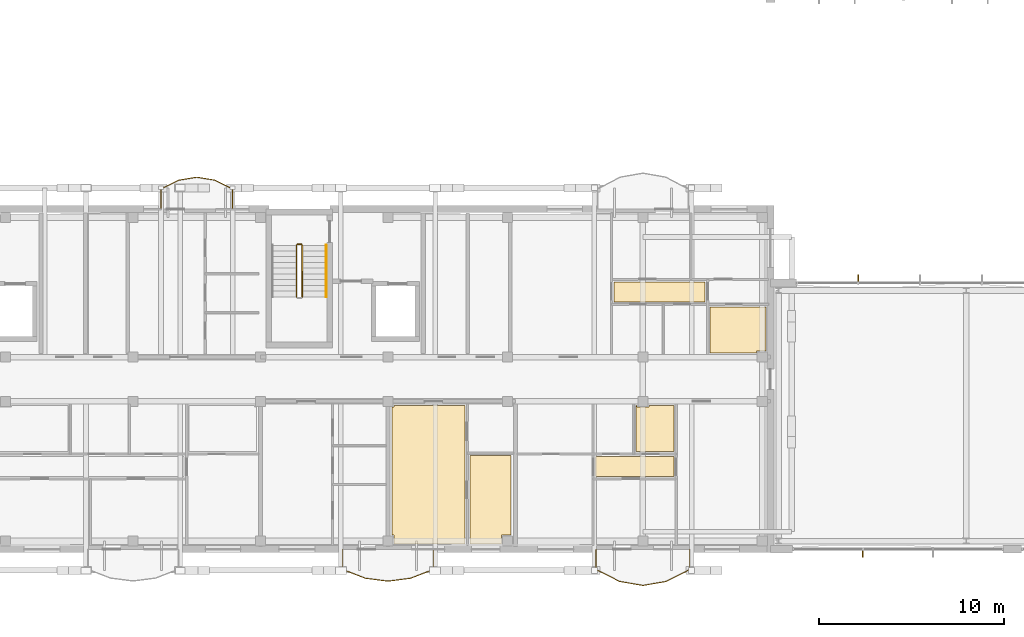
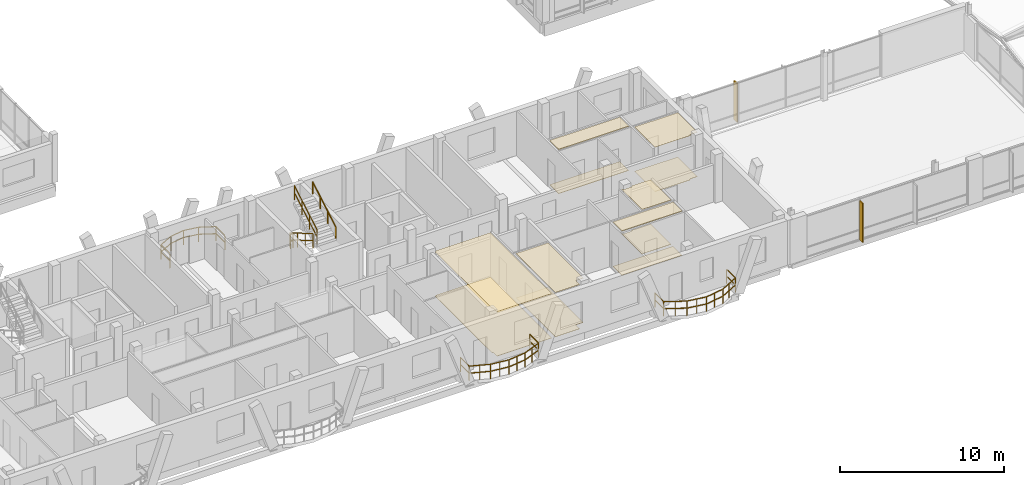
# One storey, part 170 of 189: 12 coverings, 7 railings, 2 shading devices.
"""IFC4 building model written with IfcOpenShell, lengths in metres."""

from ifc_helpers import new_model, si_unit, direction, frame, origin, origin_2d, place, context, subcontext, project, spatial, polyline, rectangle, outline, extrude, material, layer, layer_set, type_object, element, save


model = new_model("IFC4")

# Units and contexts
model_context = context("Model", 3, precision=1e-05, world=origin(), true_north=direction((0.0, 1.0)))
body_context = subcontext(model_context, "Body", "Model", "MODEL_VIEW")
ifc_project = project(units=[si_unit("LENGTHUNIT", "METRE"), si_unit("AREAUNIT", "SQUARE_METRE"), si_unit("VOLUMEUNIT", "CUBIC_METRE"), si_unit("PLANEANGLEUNIT", "RADIAN"), si_unit("MASSUNIT", "GRAM", prefix="KILO")], contexts=[model_context])

# Site, building, storey
site_placement = place(None, origin())
site = spatial("IfcSite", under=ifc_project, at=site_placement, CompositionType="ELEMENT")
building_placement = place(site_placement, origin())
building = spatial("IfcBuilding", under=site, at=building_placement, Name="Zavelmont Quarter", CompositionType="ELEMENT")
storey_placement = place(building_placement, frame((0.0, 0.0, 4.39990234375)))
storey = spatial("IfcBuildingStorey", under=building, at=storey_placement, Name="L01", CompositionType="ELEMENT", Elevation=4.39990234375)

# Coverings
ifc_material_1 = material(Name="Perforated acoustic gypsum board")
ifc_layer_1 = layer(ifc_material_1, 0.02490234375)
ifc_layer_set_1 = layer_set([ifc_layer_1], Name="Perforated acoustic gypsum board")
covering_type_1 = type_object("IfcCoveringType", Name="CV-CL01", PredefinedType="CEILING", material=ifc_layer_set_1)
covering_1_placement = place(storey_placement, frame((0.0, 0.0, 3.30517578125)))
element("IfcCovering", 1, at=covering_1_placement, inside=storey, type_object=covering_type_1, Name="L01 Residents Study Lounge acoustic ceiling", PredefinedType="CEILING", context=body_context, shape_type="SweptSolid", body=[
    extrude(outline(polyline([(34.72998046875, 7.68505859375), (34.81494140625, 7.68505859375), (34.81494140625, 7.77001953125), (38.669921875, 7.77001953125), (38.669921875, 0.280029296875), (34.81494140625, 0.280029296875), (34.81494140625, 0.7548828125), (34.72998046875, 0.7548828125), (34.72998046875, 7.68505859375)])), origin(), (0.0, 0.0, 1.0), 0.02490234375),
])
covering_2_placement = place(storey_placement, frame((0.0, 0.0, 3.30517578125)))
element("IfcCovering", 2, at=covering_2_placement, inside=storey, type_object=covering_type_1, Name="L01 Reading Alcove acoustic ceiling", PredefinedType="CEILING", context=body_context, shape_type="SweptSolid", body=[
    extrude(outline(polyline([(38.929931640625, 5.070068359375), (41.169921875, 5.070068359375), (41.169921875, 0.7548828125), (40.64501953125, 0.7548828125), (40.64501953125, 0.280029296875), (38.929931640625, 0.280029296875), (38.929931640625, 5.070068359375)])), origin(), (0.0, 0.0, 1.0), 0.02490234375),
])
covering_3_placement = place(storey_placement, frame((0.0, 0.0, 3.30517578125)))
element("IfcCovering", 3, at=covering_3_placement, inside=storey, type_object=covering_type_1, Name="L01 Kitchen acoustic ceiling", PredefinedType="CEILING", context=body_context, shape_type="SweptSolid", body=[
    extrude(outline(polyline([(47.929931640625, 7.77001953125), (47.985107421875, 7.77001953125), (47.985107421875, 7.68505859375), (48.614990234375, 7.68505859375), (48.614990234375, 7.77001953125), (49.969970703125, 7.77001953125), (49.969970703125, 5.280029296875), (47.929931640625, 5.280029296875), (47.929931640625, 7.77001953125)])), origin(), (0.0, 0.0, 1.0), 0.02490234375),
])
ifc_material_2 = material(Name="Slatted European ash acoustic baffle ceiling")
ifc_layer_2 = layer(ifc_material_2, 0.0400390625)
ifc_layer_set_2 = layer_set([ifc_layer_2], Name="Slatted European ash acoustic baffle ceiling")
covering_type_2 = type_object("IfcCoveringType", Name="CV-CL02", PredefinedType="CEILING", material=ifc_layer_set_2)
covering_4_placement = place(storey_placement, frame((0.0, 0.0, 3.2900390625)))
element("IfcCovering", 4, at=covering_4_placement, inside=storey, type_object=covering_type_2, Name="L01 Apartment Hall acoustic ceiling", PredefinedType="CEILING", context=body_context, shape_type="SweptSolid", body=[
    extrude(outline(polyline([(45.72998046875, 5.02001953125), (49.969970703125, 5.02001953125), (49.969970703125, 3.929931640625), (45.72998046875, 3.929931640625), (45.72998046875, 5.02001953125)])), origin(), (0.0, 0.0, 1.0), 0.0400390625),
])
covering_5_placement = place(storey_placement, frame((0.0, 0.0, 3.2900390625)))
element("IfcCovering", 5, at=covering_5_placement, inside=storey, type_object=covering_type_2, Name="L01 Apartment Hall acoustic ceiling", PredefinedType="CEILING", context=body_context, shape_type="SweptSolid", body=[
    extrude(outline(polyline([(46.72998046875, 14.469970703125), (51.669921875, 14.469970703125), (51.669921875, 13.3798828125), (46.72998046875, 13.3798828125), (46.72998046875, 14.469970703125)])), origin(), (0.0, 0.0, 1.0), 0.0400390625),
])
ifc_material_3 = material(Name="Moisture-resistant painted gypsum ceiling")
ifc_layer_3 = layer(ifc_material_3, 0.02001953125)
ifc_layer_set_3 = layer_set([ifc_layer_3], Name="Moisture-resistant painted gypsum ceiling")
covering_type_3 = type_object("IfcCoveringType", Name="CV-CL04", PredefinedType="CEILING", material=ifc_layer_set_3)
covering_6_placement = place(storey_placement, frame((0.0, 0.0, 3.31005859375)))
element("IfcCovering", 6, at=covering_6_placement, inside=storey, type_object=covering_type_3, Name="L01 Bathroom acoustic ceiling", PredefinedType="CEILING", context=body_context, shape_type="SweptSolid", body=[
    extrude(outline(polyline([(51.929931640625, 13.1201171875), (54.969970703125, 13.1201171875), (54.969970703125, 10.715087890625), (54.445068359375, 10.715087890625), (54.445068359375, 10.6298828125), (51.929931640625, 10.6298828125), (51.929931640625, 13.1201171875)])), origin(), (0.0, 0.0, 1.0), 0.02001953125),
])
ifc_material_4 = material(Name="Engineered European oak parquet")
ifc_layer_4 = layer(ifc_material_4, 0.02197265625)
ifc_layer_set_4 = layer_set([ifc_layer_4], Name="Engineered European oak parquet")
covering_type_4 = type_object("IfcCoveringType", Name="CV-FL01", PredefinedType="FLOORING", material=ifc_layer_set_4)
covering_7_placement = place(storey_placement, origin())
element("IfcCovering", 7, at=covering_7_placement, inside=storey, type_object=covering_type_4, Name="L01 Residents Study Lounge floor finish", PredefinedType="FLOORING", context=body_context, shape_type="SweptSolid", body=[
    extrude(outline(polyline([(34.72998046875, 7.68505859375), (34.81494140625, 7.68505859375), (34.81494140625, 7.77001953125), (38.669921875, 7.77001953125), (38.669921875, 0.280029296875), (34.81494140625, 0.280029296875), (34.81494140625, 0.7548828125), (34.72998046875, 0.7548828125), (34.72998046875, 7.68505859375)])), origin(), (0.0, 0.0, 1.0), 0.022216796875),
])
covering_8_placement = place(storey_placement, origin())
element("IfcCovering", 8, at=covering_8_placement, inside=storey, type_object=covering_type_4, Name="L01 Reading Alcove floor finish", PredefinedType="FLOORING", context=body_context, shape_type="SweptSolid", body=[
    extrude(outline(polyline([(38.929931640625, 5.070068359375), (41.169921875, 5.070068359375), (41.169921875, 0.7548828125), (40.64501953125, 0.7548828125), (40.64501953125, 0.280029296875), (38.929931640625, 0.280029296875), (38.929931640625, 5.070068359375)])), origin(), (0.0, 0.0, 1.0), 0.022216796875),
])
covering_9_placement = place(storey_placement, origin())
element("IfcCovering", 9, at=covering_9_placement, inside=storey, type_object=covering_type_4, Name="L01 Kitchen floor finish", PredefinedType="FLOORING", context=body_context, shape_type="SweptSolid", body=[
    extrude(outline(polyline([(47.929931640625, 7.77001953125), (47.985107421875, 7.77001953125), (47.985107421875, 7.68505859375), (48.614990234375, 7.68505859375), (48.614990234375, 7.77001953125), (49.969970703125, 7.77001953125), (49.969970703125, 5.280029296875), (47.929931640625, 5.280029296875), (47.929931640625, 7.77001953125)])), origin(), (0.0, 0.0, 1.0), 0.022216796875),
])
ifc_material_5 = material(Name="Honed Belgian bluestone tile", Category="masonry")
ifc_layer_5 = layer(ifc_material_5, 0.030029296875)
ifc_layer_set_5 = layer_set([ifc_layer_5], Name="Honed Belgian bluestone tile")
covering_type_5 = type_object("IfcCoveringType", Name="CV-FL02", PredefinedType="FLOORING", material=ifc_layer_set_5)
covering_10_placement = place(storey_placement, origin())
element("IfcCovering", 10, at=covering_10_placement, inside=storey, type_object=covering_type_5, Name="L01 Apartment Hall floor finish", PredefinedType="FLOORING", context=body_context, shape_type="SweptSolid", body=[
    extrude(outline(polyline([(45.72998046875, 5.02001953125), (49.969970703125, 5.02001953125), (49.969970703125, 3.929931640625), (45.72998046875, 3.929931640625), (45.72998046875, 5.02001953125)])), origin(), (0.0, 0.0, 1.0), 0.030029296875),
])
covering_11_placement = place(storey_placement, origin())
element("IfcCovering", 11, at=covering_11_placement, inside=storey, type_object=covering_type_5, Name="L01 Apartment Hall floor finish", PredefinedType="FLOORING", context=body_context, shape_type="SweptSolid", body=[
    extrude(outline(polyline([(46.72998046875, 14.469970703125), (51.669921875, 14.469970703125), (51.669921875, 13.3798828125), (46.72998046875, 13.3798828125), (46.72998046875, 14.469970703125)])), origin(), (0.0, 0.0, 1.0), 0.030029296875),
])
ifc_material_6 = material(Name="Slip-resistant porcelain tile")
ifc_layer_6 = layer(ifc_material_6, 0.02587890625)
ifc_layer_set_6 = layer_set([ifc_layer_6], Name="Slip-resistant porcelain tile")
covering_type_6 = type_object("IfcCoveringType", Name="CV-FL04", PredefinedType="FLOORING", material=ifc_layer_set_6)
covering_12_placement = place(storey_placement, origin())
element("IfcCovering", 12, at=covering_12_placement, inside=storey, type_object=covering_type_6, Name="L01 Bathroom floor finish", PredefinedType="FLOORING", context=body_context, shape_type="SweptSolid", body=[
    extrude(outline(polyline([(51.929931640625, 13.1201171875), (54.969970703125, 13.1201171875), (54.969970703125, 10.715087890625), (54.445068359375, 10.715087890625), (54.445068359375, 10.6298828125), (51.929931640625, 10.6298828125), (51.929931640625, 13.1201171875)])), origin(), (0.0, 0.0, 1.0), 0.026123046875),
])

# Railings
ifc_material_7 = material(Name="Powder-coated steel and tempered double safety glass", Category="steel")
railing_type_1 = type_object("IfcRailingType", Name="RL-BAL1", PredefinedType="BALUSTRADE", material=ifc_material_7)
railing_1_placement = place(storey_placement, frame((32.05029296875, -0.02001953125, 0.0)))
element("IfcRailing", 13, at=railing_1_placement, inside=storey, type_object=railing_type_1, Name="L01 Block A curved balcony guard RL-BAL1", PredefinedType="BALUSTRADE", context=body_context, shape_type="SweptSolid", body=[
    extrude(rectangle(XDim=0.048095703125, YDim=0.048095703125, at=origin_2d()), frame((0.0, 0.0, 1.076171875), z_axis=(0.0, -1.0, 0.0), x_axis=(1.0, 0.0, 0.0)), (0.0, 0.0, 1.0), 1.080078125),
    extrude(rectangle(XDim=0.048095703125, YDim=0.048095703125, at=origin_2d()), frame((0.0, 0.0, 0.550048828125), z_axis=(0.0, -1.0, 0.0), x_axis=(1.0, 0.0, 0.0)), (0.0, 0.0, 1.0), 1.080078125),
    extrude(rectangle(XDim=0.048095703125, YDim=0.048095703125, at=origin_2d()), frame((0.0, -1.080078125, 1.076171875), z_axis=(0.932008157799, -0.362437296365, 0.0), x_axis=(0.362437296365, 0.932008157799, 0.0)), (0.0, 0.0, 1.0), 1.314208984375),
    extrude(rectangle(XDim=0.048095703125, YDim=0.048095703125, at=origin_2d()), frame((0.0, -1.080078125, 0.550048828125), z_axis=(0.932008157799, -0.362437296365, 0.0), x_axis=(0.362437296365, 0.932008157799, 0.0)), (0.0, 0.0, 1.0), 1.314208984375),
    extrude(rectangle(XDim=0.048095703125, YDim=0.048095703125, at=origin_2d()), frame((1.224853515625, -1.556396484375, 1.076171875), z_axis=(0.991711371128, -0.128485627114, 0.0), x_axis=(0.128485627114, 0.991711371128, 0.0)), (0.0, 0.0, 1.0), 1.235107421875),
    extrude(rectangle(XDim=0.048095703125, YDim=0.048095703125, at=origin_2d()), frame((1.224853515625, -1.556396484375, 0.550048828125), z_axis=(0.991711371128, -0.128485627114, 0.0), x_axis=(0.128485627114, 0.991711371128, 0.0)), (0.0, 0.0, 1.0), 1.235107421875),
    extrude(rectangle(XDim=0.048095703125, YDim=0.048095703125, at=origin_2d()), frame((2.44970703125, -1.715087890625, 1.076171875), z_axis=(0.991711371128, 0.128485627114, 0.0), x_axis=(-0.128485627114, 0.991711371128, 0.0)), (0.0, 0.0, 1.0), 1.235107421875),
    extrude(rectangle(XDim=0.048095703125, YDim=0.048095703125, at=origin_2d()), frame((2.44970703125, -1.715087890625, 0.550048828125), z_axis=(0.991711371128, 0.128485627114, 0.0), x_axis=(-0.128485627114, 0.991711371128, 0.0)), (0.0, 0.0, 1.0), 1.235107421875),
    extrude(rectangle(XDim=0.048095703125, YDim=0.048095703125, at=origin_2d()), frame((3.674560546875, -1.556396484375, 1.076171875), z_axis=(0.932008157799, 0.362437296365, 0.0), x_axis=(-0.362437296365, 0.932008157799, 0.0)), (0.0, 0.0, 1.0), 1.314208984375),
    extrude(rectangle(XDim=0.048095703125, YDim=0.048095703125, at=origin_2d()), frame((3.674560546875, -1.556396484375, 0.550048828125), z_axis=(0.932008157799, 0.362437296365, 0.0), x_axis=(-0.362437296365, 0.932008157799, 0.0)), (0.0, 0.0, 1.0), 1.314208984375),
    extrude(rectangle(XDim=0.048095703125, YDim=0.048095703125, at=origin_2d()), frame((4.8994140625, -1.080078125, 1.076171875), z_axis=(0.0, 1.0, 0.0), x_axis=(-1.0, 0.0, 0.0)), (0.0, 0.0, 1.0), 1.080078125),
    extrude(rectangle(XDim=0.048095703125, YDim=0.048095703125, at=origin_2d()), frame((4.8994140625, -1.080078125, 0.550048828125), z_axis=(0.0, 1.0, 0.0), x_axis=(-1.0, 0.0, 0.0)), (0.0, 0.0, 1.0), 1.080078125),
    extrude(rectangle(XDim=0.0419921875, YDim=0.0419921875, at=origin_2d()), origin(), (0.0, 0.0, 1.0), 1.052001953125),
    extrude(rectangle(XDim=0.0419921875, YDim=0.0419921875, at=origin_2d()), frame((0.0, -1.080078125, 0.0)), (0.0, 0.0, 1.0), 1.052001953125),
    extrude(rectangle(XDim=0.0419921875, YDim=0.0419921875, at=origin_2d()), frame((0.6123046875, -1.318359375, 0.0)), (0.0, 0.0, 1.0), 1.052001953125),
    extrude(rectangle(XDim=0.0419921875, YDim=0.0419921875, at=origin_2d()), frame((1.224853515625, -1.556396484375, 0.0)), (0.0, 0.0, 1.0), 1.052001953125),
    extrude(rectangle(XDim=0.0419921875, YDim=0.0419921875, at=origin_2d()), frame((1.83740234375, -1.6357421875, 0.0)), (0.0, 0.0, 1.0), 1.052001953125),
    extrude(rectangle(XDim=0.0419921875, YDim=0.0419921875, at=origin_2d()), frame((2.44970703125, -1.715087890625, 0.0)), (0.0, 0.0, 1.0), 1.052001953125),
    extrude(rectangle(XDim=0.0419921875, YDim=0.0419921875, at=origin_2d()), frame((3.06201171875, -1.6357421875, 0.0)), (0.0, 0.0, 1.0), 1.052001953125),
    extrude(rectangle(XDim=0.0419921875, YDim=0.0419921875, at=origin_2d()), frame((3.674560546875, -1.556396484375, 0.0)), (0.0, 0.0, 1.0), 1.052001953125),
    extrude(rectangle(XDim=0.0419921875, YDim=0.0419921875, at=origin_2d()), frame((4.287109375, -1.318359375, 0.0)), (0.0, 0.0, 1.0), 1.052001953125),
    extrude(rectangle(XDim=0.0419921875, YDim=0.0419921875, at=origin_2d()), frame((4.8994140625, -1.080078125, 0.0)), (0.0, 0.0, 1.0), 1.052001953125),
    extrude(rectangle(XDim=0.0419921875, YDim=0.0419921875, at=origin_2d()), frame((4.8994140625, 0.0, 0.0)), (0.0, 0.0, 1.0), 1.052001953125),
])
railing_2_placement = place(storey_placement, frame((45.767333984375, -0.02001953125, 0.0)))
element("IfcRailing", 14, at=railing_2_placement, inside=storey, type_object=railing_type_1, Name="L01 Block A curved balcony guard RL-BAL1", PredefinedType="BALUSTRADE", context=body_context, shape_type="SweptSolid", body=[
    extrude(rectangle(XDim=0.048095703125, YDim=0.048095703125, at=origin_2d()), frame((0.0, 0.0, 1.076171875), z_axis=(0.0, -1.0, 0.0), x_axis=(1.0, 0.0, 0.0)), (0.0, 0.0, 1.0), 1.080322265625),
    extrude(rectangle(XDim=0.048095703125, YDim=0.048095703125, at=origin_2d()), frame((0.0, 0.0, 0.550048828125), z_axis=(0.0, -1.0, 0.0), x_axis=(1.0, 0.0, 0.0)), (0.0, 0.0, 1.0), 1.080322265625),
    extrude(rectangle(XDim=0.048095703125, YDim=0.048095703125, at=origin_2d()), frame((0.0, -1.080322265625, 1.076171875), z_axis=(0.890096003813, -0.455773083888, 0.0), x_axis=(0.455773083888, 0.890096003813, 0.0)), (0.0, 0.0, 1.0), 1.422607421875),
    extrude(rectangle(XDim=0.048095703125, YDim=0.048095703125, at=origin_2d()), frame((0.0, -1.080322265625, 0.550048828125), z_axis=(0.890096003813, -0.455773083888, 0.0), x_axis=(0.455773083888, 0.890096003813, 0.0)), (0.0, 0.0, 1.0), 1.422607421875),
    extrude(rectangle(XDim=0.048095703125, YDim=0.048095703125, at=origin_2d()), frame((1.266357421875, -1.728759765625, 1.076171875), z_axis=(0.985723350609, -0.168373026535, 0.0), x_axis=(0.168373026535, 0.985723350609, 0.0)), (0.0, 0.0, 1.0), 1.28466796875),
    extrude(rectangle(XDim=0.048095703125, YDim=0.048095703125, at=origin_2d()), frame((1.266357421875, -1.728759765625, 0.550048828125), z_axis=(0.985723350609, -0.168373026535, 0.0), x_axis=(0.168373026535, 0.985723350609, 0.0)), (0.0, 0.0, 1.0), 1.28466796875),
    extrude(rectangle(XDim=0.048095703125, YDim=0.048095703125, at=origin_2d()), frame((2.53271484375, -1.945068359375, 1.076171875), z_axis=(0.985723350609, 0.168373026535, 0.0), x_axis=(-0.168373026535, 0.985723350609, 0.0)), (0.0, 0.0, 1.0), 1.28466796875),
    extrude(rectangle(XDim=0.048095703125, YDim=0.048095703125, at=origin_2d()), frame((2.53271484375, -1.945068359375, 0.550048828125), z_axis=(0.985723350609, 0.168373026535, 0.0), x_axis=(-0.168373026535, 0.985723350609, 0.0)), (0.0, 0.0, 1.0), 1.28466796875),
    extrude(rectangle(XDim=0.048095703125, YDim=0.048095703125, at=origin_2d()), frame((3.799072265625, -1.728759765625, 1.076171875), z_axis=(0.890060349057, 0.455842708657, 0.0), x_axis=(-0.455842708657, 0.890060349057, 0.0)), (0.0, 0.0, 1.0), 1.422607421875),
    extrude(rectangle(XDim=0.048095703125, YDim=0.048095703125, at=origin_2d()), frame((3.799072265625, -1.728759765625, 0.550048828125), z_axis=(0.890060349057, 0.455842708657, 0.0), x_axis=(-0.455842708657, 0.890060349057, 0.0)), (0.0, 0.0, 1.0), 1.422607421875),
    extrude(rectangle(XDim=0.048095703125, YDim=0.048095703125, at=origin_2d()), frame((5.065185546875, -1.080322265625, 1.076171875), z_axis=(0.0, 1.0, 0.0), x_axis=(-1.0, 0.0, 0.0)), (0.0, 0.0, 1.0), 1.080322265625),
    extrude(rectangle(XDim=0.048095703125, YDim=0.048095703125, at=origin_2d()), frame((5.065185546875, -1.080322265625, 0.550048828125), z_axis=(0.0, 1.0, 0.0), x_axis=(-1.0, 0.0, 0.0)), (0.0, 0.0, 1.0), 1.080322265625),
    extrude(rectangle(XDim=0.0419921875, YDim=0.0419921875, at=origin_2d()), origin(), (0.0, 0.0, 1.0), 1.052001953125),
    extrude(rectangle(XDim=0.0419921875, YDim=0.0419921875, at=origin_2d()), frame((0.0, -1.080322265625, 0.0)), (0.0, 0.0, 1.0), 1.052001953125),
    extrude(rectangle(XDim=0.0419921875, YDim=0.0419921875, at=origin_2d()), frame((0.63330078125, -1.404541015625, 0.0)), (0.0, 0.0, 1.0), 1.052001953125),
    extrude(rectangle(XDim=0.0419921875, YDim=0.0419921875, at=origin_2d()), frame((1.266357421875, -1.728759765625, 0.0)), (0.0, 0.0, 1.0), 1.052001953125),
    extrude(rectangle(XDim=0.0419921875, YDim=0.0419921875, at=origin_2d()), frame((1.8994140625, -1.8369140625, 0.0)), (0.0, 0.0, 1.0), 1.052001953125),
    extrude(rectangle(XDim=0.0419921875, YDim=0.0419921875, at=origin_2d()), frame((2.53271484375, -1.945068359375, 0.0)), (0.0, 0.0, 1.0), 1.052001953125),
    extrude(rectangle(XDim=0.0419921875, YDim=0.0419921875, at=origin_2d()), frame((3.166015625, -1.8369140625, 0.0)), (0.0, 0.0, 1.0), 1.052001953125),
    extrude(rectangle(XDim=0.0419921875, YDim=0.0419921875, at=origin_2d()), frame((3.799072265625, -1.728759765625, 0.0)), (0.0, 0.0, 1.0), 1.052001953125),
    extrude(rectangle(XDim=0.0419921875, YDim=0.0419921875, at=origin_2d()), frame((4.43212890625, -1.404541015625, 0.0)), (0.0, 0.0, 1.0), 1.052001953125),
    extrude(rectangle(XDim=0.0419921875, YDim=0.0419921875, at=origin_2d()), frame((5.065185546875, -1.080322265625, 0.0)), (0.0, 0.0, 1.0), 1.052001953125),
    extrude(rectangle(XDim=0.0419921875, YDim=0.0419921875, at=origin_2d()), frame((5.065185546875, 0.0, 0.0)), (0.0, 0.0, 1.0), 1.052001953125),
])
railing_3_placement = place(storey_placement, frame((26.08642578125, 18.419921875, 0.0)))
element("IfcRailing", 15, at=railing_3_placement, inside=storey, type_object=railing_type_1, Name="L01 Block A curved balcony guard RL-BAL1", PredefinedType="BALUSTRADE", context=body_context, shape_type="SweptSolid", body=[
    extrude(rectangle(XDim=0.048095703125, YDim=0.048095703125, at=origin_2d()), frame((0.0, 0.0, 1.076171875), z_axis=(0.0, 1.0, 0.0), x_axis=(-1.0, 0.0, 0.0)), (0.0, 0.0, 1.0), 1.080078125),
    extrude(rectangle(XDim=0.048095703125, YDim=0.048095703125, at=origin_2d()), frame((0.0, 0.0, 0.550048828125), z_axis=(0.0, 1.0, 0.0), x_axis=(-1.0, 0.0, 0.0)), (0.0, 0.0, 1.0), 1.080078125),
    extrude(rectangle(XDim=0.048095703125, YDim=0.048095703125, at=origin_2d()), frame((0.0, 1.080078125, 1.076171875), z_axis=(-0.897304427525, 0.441412238553, 0.0), x_axis=(-0.441412238553, -0.897304427525, 0.0)), (0.0, 0.0, 1.0), 1.0791015625),
    extrude(rectangle(XDim=0.048095703125, YDim=0.048095703125, at=origin_2d()), frame((0.0, 1.080078125, 0.550048828125), z_axis=(-0.897304427525, 0.441412238553, 0.0), x_axis=(-0.441412238553, -0.897304427525, 0.0)), (0.0, 0.0, 1.0), 1.0791015625),
    extrude(rectangle(XDim=0.048095703125, YDim=0.048095703125, at=origin_2d()), frame((-0.96826171875, 1.556396484375, 1.076171875), z_axis=(-0.986834176307, 0.161735303732, 0.0), x_axis=(-0.161735303732, -0.986834176307, 0.0)), (0.0, 0.0, 1.0), 0.981201171875),
    extrude(rectangle(XDim=0.048095703125, YDim=0.048095703125, at=origin_2d()), frame((-0.96826171875, 1.556396484375, 0.550048828125), z_axis=(-0.986834176307, 0.161735303732, 0.0), x_axis=(-0.161735303732, -0.986834176307, 0.0)), (0.0, 0.0, 1.0), 0.981201171875),
    extrude(rectangle(XDim=0.048095703125, YDim=0.048095703125, at=origin_2d()), frame((-1.9365234375, 1.715087890625, 1.076171875), z_axis=(-0.986827665106, -0.161775027066, 0.0), x_axis=(0.161775027066, -0.986827665106, 0.0)), (0.0, 0.0, 1.0), 0.98095703125),
    extrude(rectangle(XDim=0.048095703125, YDim=0.048095703125, at=origin_2d()), frame((-1.9365234375, 1.715087890625, 0.550048828125), z_axis=(-0.986827665106, -0.161775027066, 0.0), x_axis=(0.161775027066, -0.986827665106, 0.0)), (0.0, 0.0, 1.0), 0.98095703125),
    extrude(rectangle(XDim=0.048095703125, YDim=0.048095703125, at=origin_2d()), frame((-2.904541015625, 1.556396484375, 1.076171875), z_axis=(-0.897304427525, -0.441412238553, 0.0), x_axis=(0.441412238553, -0.897304427525, 0.0)), (0.0, 0.0, 1.0), 1.0791015625),
    extrude(rectangle(XDim=0.048095703125, YDim=0.048095703125, at=origin_2d()), frame((-2.904541015625, 1.556396484375, 0.550048828125), z_axis=(-0.897304427525, -0.441412238553, 0.0), x_axis=(0.441412238553, -0.897304427525, 0.0)), (0.0, 0.0, 1.0), 1.0791015625),
    extrude(rectangle(XDim=0.048095703125, YDim=0.048095703125, at=origin_2d()), frame((-3.872802734375, 1.080078125, 1.076171875), z_axis=(0.0, -1.0, 0.0), x_axis=(1.0, 0.0, 0.0)), (0.0, 0.0, 1.0), 1.080078125),
    extrude(rectangle(XDim=0.048095703125, YDim=0.048095703125, at=origin_2d()), frame((-3.872802734375, 1.080078125, 0.550048828125), z_axis=(0.0, -1.0, 0.0), x_axis=(1.0, 0.0, 0.0)), (0.0, 0.0, 1.0), 1.080078125),
    extrude(rectangle(XDim=0.0419921875, YDim=0.0419921875, at=origin_2d()), origin(), (0.0, 0.0, 1.0), 1.052001953125),
    extrude(rectangle(XDim=0.0419921875, YDim=0.0419921875, at=origin_2d()), frame((0.0, 1.080078125, 0.0)), (0.0, 0.0, 1.0), 1.052001953125),
    extrude(rectangle(XDim=0.0419921875, YDim=0.0419921875, at=origin_2d()), frame((-0.96826171875, 1.556396484375, 0.0)), (0.0, 0.0, 1.0), 1.052001953125),
    extrude(rectangle(XDim=0.0419921875, YDim=0.0419921875, at=origin_2d()), frame((-1.9365234375, 1.715087890625, 0.0)), (0.0, 0.0, 1.0), 1.052001953125),
    extrude(rectangle(XDim=0.0419921875, YDim=0.0419921875, at=origin_2d()), frame((-2.904541015625, 1.556396484375, 0.0)), (0.0, 0.0, 1.0), 1.052001953125),
    extrude(rectangle(XDim=0.0419921875, YDim=0.0419921875, at=origin_2d()), frame((-3.872802734375, 1.080078125, 0.0)), (0.0, 0.0, 1.0), 1.052001953125),
    extrude(rectangle(XDim=0.0419921875, YDim=0.0419921875, at=origin_2d()), frame((-3.872802734375, 0.0, 0.0)), (0.0, 0.0, 1.0), 1.052001953125),
])
ifc_material_8 = material(Name="Powder-coated steel stair guardrail", Category="steel")
railing_type_2 = type_object("IfcRailingType", Name="RL-GRD1", PredefinedType="GUARDRAIL", material=ifc_material_8)
railing_4_placement = place(storey_placement, frame((29.550048828125, 16.449951171875, 0.18017578125)))
element("IfcRailing", 16, at=railing_4_placement, inside=storey, type_object=railing_type_2, Name="L01 ST02 stair guardrail 1", PredefinedType="GUARDRAIL", context=body_context, shape_type="SweptSolid", body=[
    extrude(rectangle(XDim=0.048095703125, YDim=0.048095703125, at=origin_2d()), frame((0.0, 0.0, 1.076171875), z_axis=(0.0, -0.864809086542, 0.502100830347), x_axis=(1.0, 0.0, 0.0)), (0.0, 0.0, 1.0), 3.22607421875),
    extrude(rectangle(XDim=0.048095703125, YDim=0.048095703125, at=origin_2d()), frame((0.0, 0.0, 0.550048828125), z_axis=(0.0, -0.864809086542, 0.502100830347), x_axis=(1.0, 0.0, 0.0)), (0.0, 0.0, 1.0), 3.22607421875),
    extrude(rectangle(XDim=0.0419921875, YDim=0.0419921875, at=origin_2d()), origin(), (0.0, 0.0, 1.0), 1.052001953125),
    extrude(rectangle(XDim=0.0419921875, YDim=0.0419921875, at=origin_2d()), frame((0.0, -0.929931640625, 0.5400390625)), (0.0, 0.0, 1.0), 1.052001953125),
    extrude(rectangle(XDim=0.0419921875, YDim=0.0419921875, at=origin_2d()), frame((0.0, -1.860107421875, 1.079833984375)), (0.0, 0.0, 1.0), 1.052001953125),
    extrude(rectangle(XDim=0.0419921875, YDim=0.0419921875, at=origin_2d()), frame((0.0, -2.7900390625, 1.619873046875)), (0.0, 0.0, 1.0), 1.052001953125),
])
railing_5_placement = place(storey_placement, frame((29.85009765625, 13.659912109375, 1.97998046875)))
element("IfcRailing", 17, at=railing_5_placement, inside=storey, type_object=railing_type_2, Name="L01 ST02 stair guardrail 3", PredefinedType="GUARDRAIL", context=body_context, shape_type="SweptSolid", body=[
    extrude(rectangle(XDim=0.048095703125, YDim=0.048095703125, at=origin_2d()), frame((0.0, 0.0, 1.076171875), z_axis=(0.0, 0.86477622642, 0.502157423742), x_axis=(-1.0, 0.0, 0.0)), (0.0, 0.0, 1.0), 3.226318359375),
    extrude(rectangle(XDim=0.048095703125, YDim=0.048095703125, at=origin_2d()), frame((0.0, 0.0, 0.550048828125), z_axis=(0.0, 0.86477622642, 0.502157423742), x_axis=(-1.0, 0.0, 0.0)), (0.0, 0.0, 1.0), 3.226318359375),
    extrude(rectangle(XDim=0.0419921875, YDim=0.0419921875, at=origin_2d()), origin(), (0.0, 0.0, 1.0), 1.052001953125),
    extrude(rectangle(XDim=0.0419921875, YDim=0.0419921875, at=origin_2d()), frame((0.0, 0.929931640625, 0.5400390625)), (0.0, 0.0, 1.0), 1.052001953125),
    extrude(rectangle(XDim=0.0419921875, YDim=0.0419921875, at=origin_2d()), frame((0.0, 1.860107421875, 1.080078125)), (0.0, 0.0, 1.0), 1.052001953125),
    extrude(rectangle(XDim=0.0419921875, YDim=0.0419921875, at=origin_2d()), frame((0.0, 2.7900390625, 1.6201171875)), (0.0, 0.0, 1.0), 1.052001953125),
])
railing_6_placement = place(storey_placement, frame((29.60009765625, 16.5, 0.0)))
element("IfcRailing", 18, at=railing_6_placement, inside=storey, type_object=railing_type_2, Name="L01 ST02 stair guardrail 4", PredefinedType="GUARDRAIL", context=body_context, shape_type="SweptSolid", body=[
    extrude(rectangle(XDim=0.048095703125, YDim=0.048095703125, at=origin_2d()), frame((0.0, 0.0, 1.076171875), z_axis=(1.0, 0.0, 0.0), x_axis=(0.0, 1.0, 0.0)), (0.0, 0.0, 1.0), 0.199951171875),
    extrude(rectangle(XDim=0.048095703125, YDim=0.048095703125, at=origin_2d()), frame((0.0, 0.0, 0.550048828125), z_axis=(1.0, 0.0, 0.0), x_axis=(0.0, 1.0, 0.0)), (0.0, 0.0, 1.0), 0.199951171875),
    extrude(rectangle(XDim=0.0419921875, YDim=0.0419921875, at=origin_2d()), origin(), (0.0, 0.0, 1.0), 1.052001953125),
    extrude(rectangle(XDim=0.0419921875, YDim=0.0419921875, at=origin_2d()), frame((0.199951171875, 0.0, 0.0)), (0.0, 0.0, 1.0), 1.052001953125),
])
ifc_material_9 = material(Name="Brushed stainless-steel wall handrail", Category="steel")
railing_type_3 = type_object("IfcRailingType", Name="RL-HND1", PredefinedType="HANDRAIL", material=ifc_material_9)
railing_7_placement = place(storey_placement, frame((31.14990234375, 13.659912109375, 1.97998046875)))
element("IfcRailing", 19, at=railing_7_placement, inside=storey, type_object=railing_type_3, Name="L01 ST02 stair handrail 2", PredefinedType="HANDRAIL", context=body_context, shape_type="SweptSolid", body=[
    extrude(rectangle(XDim=0.048095703125, YDim=0.048095703125, at=origin_2d()), frame((0.0, 0.0, 0.8759765625), z_axis=(0.0, 0.86477622642, 0.502157423742), x_axis=(-1.0, 0.0, 0.0)), (0.0, 0.0, 1.0), 3.226318359375),
    extrude(rectangle(XDim=0.0419921875, YDim=0.0419921875, at=origin_2d()), origin(), (0.0, 0.0, 1.0), 0.851806640625),
    extrude(rectangle(XDim=0.0419921875, YDim=0.0419921875, at=origin_2d()), frame((0.0, 0.929931640625, 0.5400390625)), (0.0, 0.0, 1.0), 0.851806640625),
    extrude(rectangle(XDim=0.0419921875, YDim=0.0419921875, at=origin_2d()), frame((0.0, 1.860107421875, 1.080078125)), (0.0, 0.0, 1.0), 0.851806640625),
    extrude(rectangle(XDim=0.0419921875, YDim=0.0419921875, at=origin_2d()), frame((0.0, 2.7900390625, 1.6201171875)), (0.0, 0.0, 1.0), 0.851806640625),
])

# Shading devices
ifc_material_10 = material(Name="Anodised aluminium EN AW-6063-T6", Category="aluminium")
shading_device_type = type_object("IfcShadingDeviceType", Name="SD05", PredefinedType="JALOUSIE", material=ifc_material_10)
for number, where, z_axis, x_axis, name in (
    (20, (60.199951171875, -0.260009765625, 0.050048828125), (0.0, 0.0, 1.0), (1.0, 0.0, 0.0), "L01 solar brise-soleil fin SD05"),
    (21, (59.949951171875, 14.659912109375, 0.050048828125), (0.0, 0.0, 1.0), (1.0, 0.0, 0.0), "L01 solar brise-soleil fin SD05"),
):
    element("IfcShadingDevice", number, at=place(storey_placement, frame(where, z_axis=z_axis, x_axis=x_axis)), inside=storey, type_object=shading_device_type, Name=name, PredefinedType="JALOUSIE", context=body_context, shape_type="SweptSolid", body=[
        extrude(rectangle(XDim=0.070068359375, YDim=0.3798828125, at=origin_2d()), origin(), (0.0, 0.0, 1.0), 2.89990234375),
    ])

save(model, "model.ifc")
